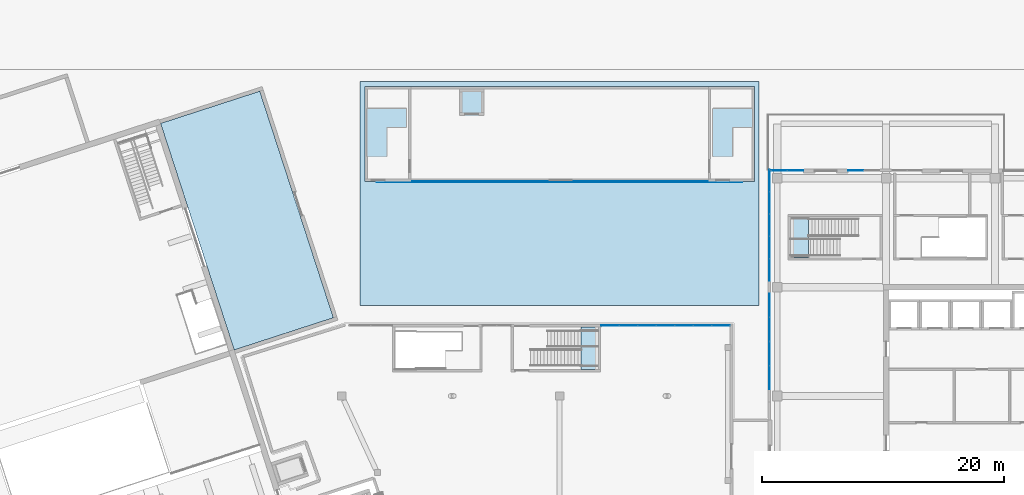
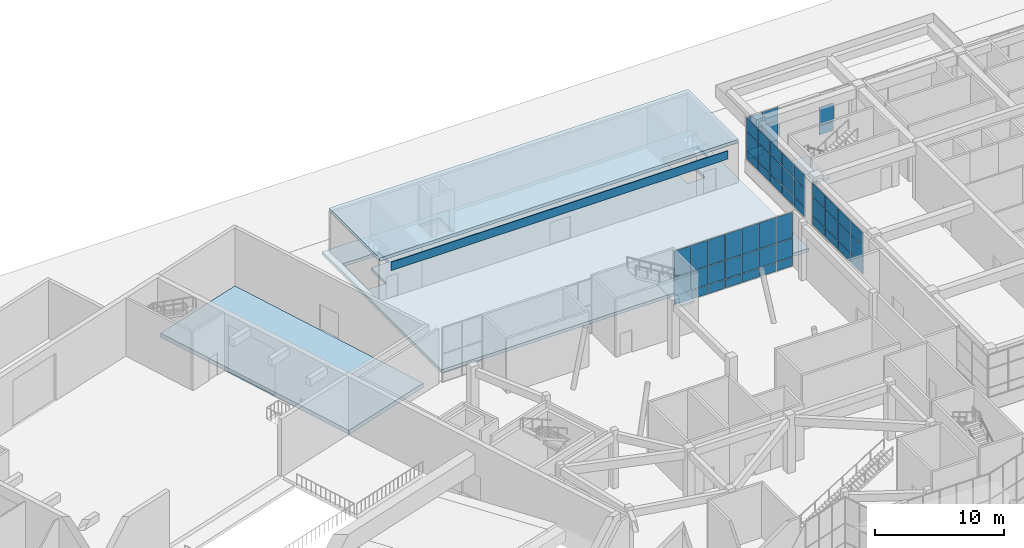
# One storey, part 48 of 72: 57 plates, 5 slabs, 7 elements without a shape of their own.
"""IFC4 building model written with IfcOpenShell, lengths in metres."""

from ifc_helpers import new_model, si_unit, direction, frame, origin, origin_2d, place, context, subcontext, project, spatial, polyline, rectangle, outline, extrude, material, layer, layer_set, type_object, element, aggregate, save


model = new_model("IFC4")

# Units and contexts
model_context = context("Model", 3, precision=1e-05, world=origin(), true_north=direction((0.0, 1.0)))
body_context = subcontext(model_context, "Body", "Model", "MODEL_VIEW")
ifc_project = project(units=[si_unit("LENGTHUNIT", "METRE"), si_unit("AREAUNIT", "SQUARE_METRE"), si_unit("VOLUMEUNIT", "CUBIC_METRE"), si_unit("PLANEANGLEUNIT", "RADIAN"), si_unit("MASSUNIT", "GRAM", prefix="KILO")], contexts=[model_context])

# Site, building, storey
site_placement = place(None, origin())
site = spatial("IfcSite", under=ifc_project, at=site_placement, CompositionType="ELEMENT")
building_placement = place(site_placement, origin())
building = spatial("IfcBuilding", under=site, at=building_placement, Name="Tuart Plaza Theatre", CompositionType="ELEMENT")
storey_placement = place(building_placement, origin())
storey = spatial("IfcBuildingStorey", under=building, at=storey_placement, Name="L00", CompositionType="ELEMENT", Elevation=0.0)

# Curtain wall, plates
ifc_material_1 = material(Name="Aluminium and glass", Category="aluminium")
ifc_layer_1 = layer(ifc_material_1, 0.10009765625)
ifc_layer_set_1 = layer_set([ifc_layer_1], Name="CURTAIN WALL 1500 module")
curtain_wall_type_1 = type_object("IfcCurtainWallType", Name="CURTAIN WALL 1500 module", PredefinedType="NOTDEFINED", material=ifc_layer_set_1)
curtain_wall_1_placement = place(storey_placement, origin())
curtain_wall_1 = element("IfcCurtainWall", 1, at=curtain_wall_1_placement, inside=storey, type_object=curtain_wall_type_1, Name="CW12", PredefinedType="NOTDEFINED")
ifc_material_2 = material(Name="Glass", Category="glass")
ifc_layer_2 = layer(ifc_material_2, 0.028076171875)
ifc_layer_set_2 = layer_set([ifc_layer_2], Name="CURTAIN PANEL double glazed 28")
plate_type_1 = type_object("IfcPlateType", Name="CURTAIN PANEL double glazed 28", PredefinedType="CURTAIN_PANEL", material=ifc_layer_set_2)
plate_1_placement = place(storey_placement, frame((100.177734375, 79.8369140625, 0.0498046875), z_axis=(0.0, 0.0, 1.0), x_axis=(1.0, 0.0, 0.0)))
plate_1 = element("IfcPlate", 2, at=plate_1_placement, type_object=plate_type_1, Name="CW12 panel 1.1", PredefinedType="CURTAIN_PANEL", context=body_context, shape_type="SweptSolid", body=[
    extrude(rectangle(XDim=1.455322265625, YDim=0.028076171875, at=origin_2d()), origin(), (0.0, 0.0, 1.0), 0.824951171875),
])
plate_2_placement = place(storey_placement, frame((100.177734375, 79.8369140625, 0.925048828125), z_axis=(0.0, 0.0, 1.0), x_axis=(1.0, 0.0, 0.0)))
plate_2 = element("IfcPlate", 3, at=plate_2_placement, type_object=plate_type_1, Name="CW12 panel 1.2", PredefinedType="CURTAIN_PANEL", context=body_context, shape_type="SweptSolid", body=[
    extrude(rectangle(XDim=1.455322265625, YDim=0.028076171875, at=origin_2d()), origin(), (0.0, 0.0, 1.0), 1.75),
])
plate_3_placement = place(storey_placement, frame((100.177734375, 79.8369140625, 2.72509765625), z_axis=(0.0, 0.0, 1.0), x_axis=(1.0, 0.0, 0.0)))
plate_3 = element("IfcPlate", 4, at=plate_3_placement, type_object=plate_type_1, Name="CW12 panel 1.3", PredefinedType="CURTAIN_PANEL", context=body_context, shape_type="SweptSolid", body=[
    extrude(rectangle(XDim=1.455322265625, YDim=0.028076171875, at=origin_2d()), origin(), (0.0, 0.0, 1.0), 2.425048828125),
])
plate_4_placement = place(storey_placement, frame((101.695556640625, 79.8369140625, 0.0498046875), z_axis=(0.0, 0.0, 1.0), x_axis=(1.0, 0.0, 0.0)))
plate_4 = element("IfcPlate", 5, at=plate_4_placement, type_object=plate_type_1, Name="CW12 panel 2.1", PredefinedType="CURTAIN_PANEL", context=body_context, shape_type="SweptSolid", body=[
    extrude(rectangle(XDim=1.48046875, YDim=0.028076171875, at=origin_2d()), origin(), (0.0, 0.0, 1.0), 0.824951171875),
])
plate_5_placement = place(storey_placement, frame((101.695556640625, 79.8369140625, 0.925048828125), z_axis=(0.0, 0.0, 1.0), x_axis=(1.0, 0.0, 0.0)))
plate_5 = element("IfcPlate", 6, at=plate_5_placement, type_object=plate_type_1, Name="CW12 panel 2.2", PredefinedType="CURTAIN_PANEL", context=body_context, shape_type="SweptSolid", body=[
    extrude(rectangle(XDim=1.48046875, YDim=0.028076171875, at=origin_2d()), origin(), (0.0, 0.0, 1.0), 1.75),
])
plate_6_placement = place(storey_placement, frame((101.695556640625, 79.8369140625, 2.72509765625), z_axis=(0.0, 0.0, 1.0), x_axis=(1.0, 0.0, 0.0)))
plate_6 = element("IfcPlate", 7, at=plate_6_placement, type_object=plate_type_1, Name="CW12 panel 2.3", PredefinedType="CURTAIN_PANEL", context=body_context, shape_type="SweptSolid", body=[
    extrude(rectangle(XDim=1.48046875, YDim=0.028076171875, at=origin_2d()), origin(), (0.0, 0.0, 1.0), 2.425048828125),
])
plate_7_placement = place(storey_placement, frame((103.22607421875, 79.8369140625, 0.0498046875), z_axis=(0.0, 0.0, 1.0), x_axis=(1.0, 0.0, 0.0)))
plate_7 = element("IfcPlate", 8, at=plate_7_placement, type_object=plate_type_1, Name="CW12 panel 3.1", PredefinedType="CURTAIN_PANEL", context=body_context, shape_type="SweptSolid", body=[
    extrude(rectangle(XDim=1.48046875, YDim=0.028076171875, at=origin_2d()), origin(), (0.0, 0.0, 1.0), 0.824951171875),
])
plate_8_placement = place(storey_placement, frame((103.22607421875, 79.8369140625, 0.925048828125), z_axis=(0.0, 0.0, 1.0), x_axis=(1.0, 0.0, 0.0)))
plate_8 = element("IfcPlate", 9, at=plate_8_placement, type_object=plate_type_1, Name="CW12 panel 3.2", PredefinedType="CURTAIN_PANEL", context=body_context, shape_type="SweptSolid", body=[
    extrude(rectangle(XDim=1.48046875, YDim=0.028076171875, at=origin_2d()), origin(), (0.0, 0.0, 1.0), 1.75),
])
plate_9_placement = place(storey_placement, frame((103.22607421875, 79.8369140625, 2.72509765625), z_axis=(0.0, 0.0, 1.0), x_axis=(1.0, 0.0, 0.0)))
plate_9 = element("IfcPlate", 10, at=plate_9_placement, type_object=plate_type_1, Name="CW12 panel 3.3", PredefinedType="CURTAIN_PANEL", context=body_context, shape_type="SweptSolid", body=[
    extrude(rectangle(XDim=1.48046875, YDim=0.028076171875, at=origin_2d()), origin(), (0.0, 0.0, 1.0), 2.425048828125),
])
plate_10_placement = place(storey_placement, frame((104.756591796875, 79.8369140625, 0.0498046875), z_axis=(0.0, 0.0, 1.0), x_axis=(1.0, 0.0, 0.0)))
plate_10 = element("IfcPlate", 11, at=plate_10_placement, type_object=plate_type_1, Name="CW12 panel 4.1", PredefinedType="CURTAIN_PANEL", context=body_context, shape_type="SweptSolid", body=[
    extrude(rectangle(XDim=1.48046875, YDim=0.028076171875, at=origin_2d()), origin(), (0.0, 0.0, 1.0), 0.824951171875),
])
plate_11_placement = place(storey_placement, frame((104.756591796875, 79.8369140625, 0.925048828125), z_axis=(0.0, 0.0, 1.0), x_axis=(1.0, 0.0, 0.0)))
plate_11 = element("IfcPlate", 12, at=plate_11_placement, type_object=plate_type_1, Name="CW12 panel 4.2", PredefinedType="CURTAIN_PANEL", context=body_context, shape_type="SweptSolid", body=[
    extrude(rectangle(XDim=1.48046875, YDim=0.028076171875, at=origin_2d()), origin(), (0.0, 0.0, 1.0), 1.75),
])
plate_12_placement = place(storey_placement, frame((104.756591796875, 79.8369140625, 2.72509765625), z_axis=(0.0, 0.0, 1.0), x_axis=(1.0, 0.0, 0.0)))
plate_12 = element("IfcPlate", 13, at=plate_12_placement, type_object=plate_type_1, Name="CW12 panel 4.3", PredefinedType="CURTAIN_PANEL", context=body_context, shape_type="SweptSolid", body=[
    extrude(rectangle(XDim=1.48046875, YDim=0.028076171875, at=origin_2d()), origin(), (0.0, 0.0, 1.0), 2.425048828125),
])
plate_13_placement = place(storey_placement, frame((106.286865234375, 79.8369140625, 0.0498046875), z_axis=(0.0, 0.0, 1.0), x_axis=(1.0, 0.0, 0.0)))
plate_13 = element("IfcPlate", 14, at=plate_13_placement, type_object=plate_type_1, Name="CW12 panel 5.1", PredefinedType="CURTAIN_PANEL", context=body_context, shape_type="SweptSolid", body=[
    extrude(rectangle(XDim=1.48046875, YDim=0.028076171875, at=origin_2d()), origin(), (0.0, 0.0, 1.0), 0.824951171875),
])
plate_14_placement = place(storey_placement, frame((106.286865234375, 79.8369140625, 0.925048828125), z_axis=(0.0, 0.0, 1.0), x_axis=(1.0, 0.0, 0.0)))
plate_14 = element("IfcPlate", 15, at=plate_14_placement, type_object=plate_type_1, Name="CW12 panel 5.2", PredefinedType="CURTAIN_PANEL", context=body_context, shape_type="SweptSolid", body=[
    extrude(rectangle(XDim=1.48046875, YDim=0.028076171875, at=origin_2d()), origin(), (0.0, 0.0, 1.0), 1.75),
])
plate_15_placement = place(storey_placement, frame((106.286865234375, 79.8369140625, 2.72509765625), z_axis=(0.0, 0.0, 1.0), x_axis=(1.0, 0.0, 0.0)))
plate_15 = element("IfcPlate", 16, at=plate_15_placement, type_object=plate_type_1, Name="CW12 panel 5.3", PredefinedType="CURTAIN_PANEL", context=body_context, shape_type="SweptSolid", body=[
    extrude(rectangle(XDim=1.48046875, YDim=0.028076171875, at=origin_2d()), origin(), (0.0, 0.0, 1.0), 2.425048828125),
])
plate_16_placement = place(storey_placement, frame((107.8173828125, 79.8369140625, 0.0498046875), z_axis=(0.0, 0.0, 1.0), x_axis=(1.0, 0.0, 0.0)))
plate_16 = element("IfcPlate", 17, at=plate_16_placement, type_object=plate_type_1, Name="CW12 panel 6.1", PredefinedType="CURTAIN_PANEL", context=body_context, shape_type="SweptSolid", body=[
    extrude(rectangle(XDim=1.48046875, YDim=0.028076171875, at=origin_2d()), origin(), (0.0, 0.0, 1.0), 0.824951171875),
])
plate_17_placement = place(storey_placement, frame((107.8173828125, 79.8369140625, 0.925048828125), z_axis=(0.0, 0.0, 1.0), x_axis=(1.0, 0.0, 0.0)))
plate_17 = element("IfcPlate", 18, at=plate_17_placement, type_object=plate_type_1, Name="CW12 panel 6.2", PredefinedType="CURTAIN_PANEL", context=body_context, shape_type="SweptSolid", body=[
    extrude(rectangle(XDim=1.48046875, YDim=0.028076171875, at=origin_2d()), origin(), (0.0, 0.0, 1.0), 1.75),
])
plate_18_placement = place(storey_placement, frame((107.8173828125, 79.8369140625, 2.72509765625), z_axis=(0.0, 0.0, 1.0), x_axis=(1.0, 0.0, 0.0)))
plate_18 = element("IfcPlate", 19, at=plate_18_placement, type_object=plate_type_1, Name="CW12 panel 6.3", PredefinedType="CURTAIN_PANEL", context=body_context, shape_type="SweptSolid", body=[
    extrude(rectangle(XDim=1.48046875, YDim=0.028076171875, at=origin_2d()), origin(), (0.0, 0.0, 1.0), 2.425048828125),
])
plate_19_placement = place(storey_placement, frame((109.335205078125, 79.8369140625, 0.0498046875), z_axis=(0.0, 0.0, 1.0), x_axis=(1.0, 0.0, 0.0)))
plate_19 = element("IfcPlate", 20, at=plate_19_placement, type_object=plate_type_1, Name="CW12 panel 7.1", PredefinedType="CURTAIN_PANEL", context=body_context, shape_type="SweptSolid", body=[
    extrude(rectangle(XDim=1.455322265625, YDim=0.028076171875, at=origin_2d()), origin(), (0.0, 0.0, 1.0), 0.824951171875),
])
plate_20_placement = place(storey_placement, frame((109.335205078125, 79.8369140625, 0.925048828125), z_axis=(0.0, 0.0, 1.0), x_axis=(1.0, 0.0, 0.0)))
plate_20 = element("IfcPlate", 21, at=plate_20_placement, type_object=plate_type_1, Name="CW12 panel 7.2", PredefinedType="CURTAIN_PANEL", context=body_context, shape_type="SweptSolid", body=[
    extrude(rectangle(XDim=1.455322265625, YDim=0.028076171875, at=origin_2d()), origin(), (0.0, 0.0, 1.0), 1.75),
])
plate_21_placement = place(storey_placement, frame((109.335205078125, 79.8369140625, 2.72509765625), z_axis=(0.0, 0.0, 1.0), x_axis=(1.0, 0.0, 0.0)))
plate_21 = element("IfcPlate", 22, at=plate_21_placement, type_object=plate_type_1, Name="CW12 panel 7.3", PredefinedType="CURTAIN_PANEL", context=body_context, shape_type="SweptSolid", body=[
    extrude(rectangle(XDim=1.455322265625, YDim=0.028076171875, at=origin_2d()), origin(), (0.0, 0.0, 1.0), 2.425048828125),
])
aggregate(curtain_wall_1, [plate_1, plate_2, plate_3, plate_4, plate_5, plate_6, plate_7, plate_8, plate_9, plate_10, plate_11, plate_12, plate_13, plate_14, plate_15, plate_16, plate_17, plate_18, plate_19, plate_20, plate_21])

ifc_material_3 = material(Name="Aluminium and glass", Category="aluminium")
ifc_layer_3 = layer(ifc_material_3, 0.10009765625)
ifc_layer_set_3 = layer_set([ifc_layer_3], Name="CURTAIN WALL 1350 module")
curtain_wall_type_2 = type_object("IfcCurtainWallType", Name="CURTAIN WALL 1350 module", PredefinedType="NOTDEFINED", material=ifc_layer_set_3)
curtain_wall_2_placement = place(storey_placement, origin())
curtain_wall_2 = element("IfcCurtainWall", 23, at=curtain_wall_2_placement, inside=storey, type_object=curtain_wall_type_2, Name="CW55", PredefinedType="NOTDEFINED")
plate_22_placement = place(storey_placement, frame((120.487548828125, 92.64990234375, 1.25), z_axis=(0.0, 0.0, 1.0), x_axis=(-1.0, 0.0, 0.0)))
plate_22 = element("IfcPlate", 24, at=plate_22_placement, type_object=plate_type_1, Name="CW55 panel 2.1", PredefinedType="CURTAIN_PANEL", context=body_context, shape_type="SweptSolid", body=[
    extrude(rectangle(XDim=1.27490234375, YDim=0.028076171875, at=origin_2d()), origin(), (0.0, 0.0, 1.0), 0.824951171875),
])
plate_23_placement = place(storey_placement, frame((120.487548828125, 92.64990234375, 2.125), z_axis=(0.0, 0.0, 1.0), x_axis=(-1.0, 0.0, 0.0)))
plate_23 = element("IfcPlate", 25, at=plate_23_placement, type_object=plate_type_1, Name="CW55 panel 2.2", PredefinedType="CURTAIN_PANEL", context=body_context, shape_type="SweptSolid", body=[
    extrude(rectangle(XDim=1.27490234375, YDim=0.028076171875, at=origin_2d()), origin(), (0.0, 0.0, 1.0), 1.75),
])
aggregate(curtain_wall_2, [plate_22, plate_23])

ifc_material_4 = material(Name="Aluminium and glass", Category="aluminium")
ifc_layer_4 = layer(ifc_material_4, 0.10009765625)
ifc_layer_set_4 = layer_set([ifc_layer_4], Name="CURTAIN WALL 1375 module")
curtain_wall_type_3 = type_object("IfcCurtainWallType", Name="CURTAIN WALL 1375 module", PredefinedType="NOTDEFINED", material=ifc_layer_set_4)
curtain_wall_3_placement = place(storey_placement, origin())
curtain_wall_3 = element("IfcCurtainWall", 26, at=curtain_wall_3_placement, inside=storey, type_object=curtain_wall_type_3, Name="CW56", PredefinedType="NOTDEFINED")
plate_24_placement = place(storey_placement, frame((115.5, 92.64990234375, 1.25), z_axis=(0.0, 0.0, 1.0), x_axis=(-1.0, 0.0, 0.0)))
plate_24 = element("IfcPlate", 27, at=plate_24_placement, type_object=plate_type_1, Name="CW56 panel 1.1", PredefinedType="CURTAIN_PANEL", context=body_context, shape_type="SweptSolid", body=[
    extrude(rectangle(XDim=1.300048828125, YDim=0.028076171875, at=origin_2d()), origin(), (0.0, 0.0, 1.0), 0.824951171875),
])
plate_25_placement = place(storey_placement, frame((115.5, 92.64990234375, 2.125), z_axis=(0.0, 0.0, 1.0), x_axis=(-1.0, 0.0, 0.0)))
plate_25 = element("IfcPlate", 28, at=plate_25_placement, type_object=plate_type_1, Name="CW56 panel 1.2", PredefinedType="CURTAIN_PANEL", context=body_context, shape_type="SweptSolid", body=[
    extrude(rectangle(XDim=1.300048828125, YDim=0.028076171875, at=origin_2d()), origin(), (0.0, 0.0, 1.0), 1.75),
])
plate_26_placement = place(storey_placement, frame((115.5, 92.64990234375, 3.925048828125), z_axis=(0.0, 0.0, 1.0), x_axis=(-1.0, 0.0, 0.0)))
plate_26 = element("IfcPlate", 29, at=plate_26_placement, type_object=plate_type_1, Name="CW56 panel 1.3", PredefinedType="CURTAIN_PANEL", context=body_context, shape_type="SweptSolid", body=[
    extrude(rectangle(XDim=1.300048828125, YDim=0.028076171875, at=origin_2d()), origin(), (0.0, 0.0, 1.0), 1.27490234375),
])
plate_27_placement = place(storey_placement, frame((114.14990234375, 92.64990234375, 1.25), z_axis=(0.0, 0.0, 1.0), x_axis=(-1.0, 0.0, 0.0)))
plate_27 = element("IfcPlate", 30, at=plate_27_placement, type_object=plate_type_1, Name="CW56 panel 2.1", PredefinedType="CURTAIN_PANEL", context=body_context, shape_type="SweptSolid", body=[
    extrude(rectangle(XDim=1.300048828125, YDim=0.028076171875, at=origin_2d()), origin(), (0.0, 0.0, 1.0), 0.824951171875),
])
plate_28_placement = place(storey_placement, frame((114.14990234375, 92.64990234375, 2.125), z_axis=(0.0, 0.0, 1.0), x_axis=(-1.0, 0.0, 0.0)))
plate_28 = element("IfcPlate", 31, at=plate_28_placement, type_object=plate_type_1, Name="CW56 panel 2.2", PredefinedType="CURTAIN_PANEL", context=body_context, shape_type="SweptSolid", body=[
    extrude(rectangle(XDim=1.300048828125, YDim=0.028076171875, at=origin_2d()), origin(), (0.0, 0.0, 1.0), 1.75),
])
plate_29_placement = place(storey_placement, frame((114.14990234375, 92.64990234375, 3.925048828125), z_axis=(0.0, 0.0, 1.0), x_axis=(-1.0, 0.0, 0.0)))
plate_29 = element("IfcPlate", 32, at=plate_29_placement, type_object=plate_type_1, Name="CW56 panel 2.3", PredefinedType="CURTAIN_PANEL", context=body_context, shape_type="SweptSolid", body=[
    extrude(rectangle(XDim=1.300048828125, YDim=0.028076171875, at=origin_2d()), origin(), (0.0, 0.0, 1.0), 1.27490234375),
])
aggregate(curtain_wall_3, [plate_24, plate_25, plate_26, plate_27, plate_28, plate_29])

ifc_material_5 = material(Name="Aluminium and glass", Category="aluminium")
ifc_layer_5 = layer(ifc_material_5, 0.10009765625)
ifc_layer_set_5 = layer_set([ifc_layer_5], Name="CURTAIN WALL 2000 module")
curtain_wall_type_4 = type_object("IfcCurtainWallType", Name="CURTAIN WALL 2000 module", PredefinedType="NOTDEFINED", material=ifc_layer_set_5)
curtain_wall_4_placement = place(storey_placement, origin())
curtain_wall_4 = element("IfcCurtainWall", 33, at=curtain_wall_4_placement, inside=storey, type_object=curtain_wall_type_4, Name="CW57", PredefinedType="NOTDEFINED")
plate_30_placement = place(storey_placement, frame((113.35009765625, 91.8125, 1.25), z_axis=(0.0, 0.0, 1.0), x_axis=(0.0, -1.0, 0.0)))
plate_30 = element("IfcPlate", 34, at=plate_30_placement, type_object=plate_type_1, Name="CW57 panel 1.1", PredefinedType="CURTAIN_PANEL", context=body_context, shape_type="SweptSolid", body=[
    extrude(rectangle(XDim=1.77490234375, YDim=0.028076171875, at=origin_2d()), origin(), (0.0, 0.0, 1.0), 0.824951171875),
])
plate_31_placement = place(storey_placement, frame((113.35009765625, 91.8125, 2.125), z_axis=(0.0, 0.0, 1.0), x_axis=(0.0, -1.0, 0.0)))
plate_31 = element("IfcPlate", 35, at=plate_31_placement, type_object=plate_type_1, Name="CW57 panel 1.2", PredefinedType="CURTAIN_PANEL", context=body_context, shape_type="SweptSolid", body=[
    extrude(rectangle(XDim=1.77490234375, YDim=0.028076171875, at=origin_2d()), origin(), (0.0, 0.0, 1.0), 1.75),
])
plate_32_placement = place(storey_placement, frame((113.35009765625, 91.8125, 3.925048828125), z_axis=(0.0, 0.0, 1.0), x_axis=(0.0, -1.0, 0.0)))
plate_32 = element("IfcPlate", 36, at=plate_32_placement, type_object=plate_type_1, Name="CW57 panel 1.3", PredefinedType="CURTAIN_PANEL", context=body_context, shape_type="SweptSolid", body=[
    extrude(rectangle(XDim=1.77490234375, YDim=0.028076171875, at=origin_2d()), origin(), (0.0, 0.0, 1.0), 1.27490234375),
])
plate_33_placement = place(storey_placement, frame((113.35009765625, 89.97509765625, 1.25), z_axis=(0.0, 0.0, 1.0), x_axis=(0.0, -1.0, 0.0)))
plate_33 = element("IfcPlate", 37, at=plate_33_placement, type_object=plate_type_1, Name="CW57 panel 2.1", PredefinedType="CURTAIN_PANEL", context=body_context, shape_type="SweptSolid", body=[
    extrude(rectangle(XDim=1.800048828125, YDim=0.028076171875, at=origin_2d()), origin(), (0.0, 0.0, 1.0), 0.824951171875),
])
plate_34_placement = place(storey_placement, frame((113.35009765625, 89.97509765625, 2.125), z_axis=(0.0, 0.0, 1.0), x_axis=(0.0, -1.0, 0.0)))
plate_34 = element("IfcPlate", 38, at=plate_34_placement, type_object=plate_type_1, Name="CW57 panel 2.2", PredefinedType="CURTAIN_PANEL", context=body_context, shape_type="SweptSolid", body=[
    extrude(rectangle(XDim=1.800048828125, YDim=0.028076171875, at=origin_2d()), origin(), (0.0, 0.0, 1.0), 1.75),
])
plate_35_placement = place(storey_placement, frame((113.35009765625, 89.97509765625, 3.925048828125), z_axis=(0.0, 0.0, 1.0), x_axis=(0.0, -1.0, 0.0)))
plate_35 = element("IfcPlate", 39, at=plate_35_placement, type_object=plate_type_1, Name="CW57 panel 2.3", PredefinedType="CURTAIN_PANEL", context=body_context, shape_type="SweptSolid", body=[
    extrude(rectangle(XDim=1.800048828125, YDim=0.028076171875, at=origin_2d()), origin(), (0.0, 0.0, 1.0), 1.27490234375),
])
plate_36_placement = place(storey_placement, frame((113.35009765625, 88.125, 1.25), z_axis=(0.0, 0.0, 1.0), x_axis=(0.0, -1.0, 0.0)))
plate_36 = element("IfcPlate", 40, at=plate_36_placement, type_object=plate_type_1, Name="CW57 panel 3.1", PredefinedType="CURTAIN_PANEL", context=body_context, shape_type="SweptSolid", body=[
    extrude(rectangle(XDim=1.800048828125, YDim=0.028076171875, at=origin_2d()), origin(), (0.0, 0.0, 1.0), 0.824951171875),
])
plate_37_placement = place(storey_placement, frame((113.35009765625, 88.125, 2.125), z_axis=(0.0, 0.0, 1.0), x_axis=(0.0, -1.0, 0.0)))
plate_37 = element("IfcPlate", 41, at=plate_37_placement, type_object=plate_type_1, Name="CW57 panel 3.2", PredefinedType="CURTAIN_PANEL", context=body_context, shape_type="SweptSolid", body=[
    extrude(rectangle(XDim=1.800048828125, YDim=0.028076171875, at=origin_2d()), origin(), (0.0, 0.0, 1.0), 1.75),
])
plate_38_placement = place(storey_placement, frame((113.35009765625, 88.125, 3.925048828125), z_axis=(0.0, 0.0, 1.0), x_axis=(0.0, -1.0, 0.0)))
plate_38 = element("IfcPlate", 42, at=plate_38_placement, type_object=plate_type_1, Name="CW57 panel 3.3", PredefinedType="CURTAIN_PANEL", context=body_context, shape_type="SweptSolid", body=[
    extrude(rectangle(XDim=1.800048828125, YDim=0.028076171875, at=origin_2d()), origin(), (0.0, 0.0, 1.0), 1.27490234375),
])
plate_39_placement = place(storey_placement, frame((113.35009765625, 86.27490234375, 1.25), z_axis=(0.0, 0.0, 1.0), x_axis=(0.0, -1.0, 0.0)))
plate_39 = element("IfcPlate", 43, at=plate_39_placement, type_object=plate_type_1, Name="CW57 panel 4.1", PredefinedType="CURTAIN_PANEL", context=body_context, shape_type="SweptSolid", body=[
    extrude(rectangle(XDim=1.800048828125, YDim=0.028076171875, at=origin_2d()), origin(), (0.0, 0.0, 1.0), 0.824951171875),
])
plate_40_placement = place(storey_placement, frame((113.35009765625, 86.27490234375, 2.125), z_axis=(0.0, 0.0, 1.0), x_axis=(0.0, -1.0, 0.0)))
plate_40 = element("IfcPlate", 44, at=plate_40_placement, type_object=plate_type_1, Name="CW57 panel 4.2", PredefinedType="CURTAIN_PANEL", context=body_context, shape_type="SweptSolid", body=[
    extrude(rectangle(XDim=1.800048828125, YDim=0.028076171875, at=origin_2d()), origin(), (0.0, 0.0, 1.0), 1.75),
])
plate_41_placement = place(storey_placement, frame((113.35009765625, 86.27490234375, 3.925048828125), z_axis=(0.0, 0.0, 1.0), x_axis=(0.0, -1.0, 0.0)))
plate_41 = element("IfcPlate", 45, at=plate_41_placement, type_object=plate_type_1, Name="CW57 panel 4.3", PredefinedType="CURTAIN_PANEL", context=body_context, shape_type="SweptSolid", body=[
    extrude(rectangle(XDim=1.800048828125, YDim=0.028076171875, at=origin_2d()), origin(), (0.0, 0.0, 1.0), 1.27490234375),
])
plate_42_placement = place(storey_placement, frame((113.35009765625, 84.4375, 1.25), z_axis=(0.0, 0.0, 1.0), x_axis=(0.0, -1.0, 0.0)))
plate_42 = element("IfcPlate", 46, at=plate_42_placement, type_object=plate_type_1, Name="CW57 panel 5.1", PredefinedType="CURTAIN_PANEL", context=body_context, shape_type="SweptSolid", body=[
    extrude(rectangle(XDim=1.77490234375, YDim=0.028076171875, at=origin_2d()), origin(), (0.0, 0.0, 1.0), 0.824951171875),
])
plate_43_placement = place(storey_placement, frame((113.35009765625, 84.4375, 2.125), z_axis=(0.0, 0.0, 1.0), x_axis=(0.0, -1.0, 0.0)))
plate_43 = element("IfcPlate", 47, at=plate_43_placement, type_object=plate_type_1, Name="CW57 panel 5.2", PredefinedType="CURTAIN_PANEL", context=body_context, shape_type="SweptSolid", body=[
    extrude(rectangle(XDim=1.77490234375, YDim=0.028076171875, at=origin_2d()), origin(), (0.0, 0.0, 1.0), 1.75),
])
plate_44_placement = place(storey_placement, frame((113.35009765625, 84.4375, 3.925048828125), z_axis=(0.0, 0.0, 1.0), x_axis=(0.0, -1.0, 0.0)))
plate_44 = element("IfcPlate", 48, at=plate_44_placement, type_object=plate_type_1, Name="CW57 panel 5.3", PredefinedType="CURTAIN_PANEL", context=body_context, shape_type="SweptSolid", body=[
    extrude(rectangle(XDim=1.77490234375, YDim=0.028076171875, at=origin_2d()), origin(), (0.0, 0.0, 1.0), 1.27490234375),
])
aggregate(curtain_wall_4, [plate_30, plate_31, plate_32, plate_33, plate_34, plate_35, plate_36, plate_37, plate_38, plate_39, plate_40, plate_41, plate_42, plate_43, plate_44])

curtain_wall_5_placement = place(storey_placement, origin())
curtain_wall_5 = element("IfcCurtainWall", 49, at=curtain_wall_5_placement, inside=storey, type_object=curtain_wall_type_4, Name="CW58", PredefinedType="NOTDEFINED")
plate_45_placement = place(storey_placement, frame((113.35009765625, 81.487548828125, 1.25), z_axis=(0.0, 0.0, 1.0), x_axis=(0.0, -1.0, 0.0)))
plate_45 = element("IfcPlate", 50, at=plate_45_placement, type_object=plate_type_1, Name="CW58 panel 1.1", PredefinedType="CURTAIN_PANEL", context=body_context, shape_type="SweptSolid", body=[
    extrude(rectangle(XDim=1.925048828125, YDim=0.028076171875, at=origin_2d()), origin(), (0.0, 0.0, 1.0), 0.824951171875),
])
plate_46_placement = place(storey_placement, frame((113.35009765625, 81.487548828125, 2.125), z_axis=(0.0, 0.0, 1.0), x_axis=(0.0, -1.0, 0.0)))
plate_46 = element("IfcPlate", 51, at=plate_46_placement, type_object=plate_type_1, Name="CW58 panel 1.2", PredefinedType="CURTAIN_PANEL", context=body_context, shape_type="SweptSolid", body=[
    extrude(rectangle(XDim=1.925048828125, YDim=0.028076171875, at=origin_2d()), origin(), (0.0, 0.0, 1.0), 1.75),
])
plate_47_placement = place(storey_placement, frame((113.35009765625, 81.487548828125, 3.925048828125), z_axis=(0.0, 0.0, 1.0), x_axis=(0.0, -1.0, 0.0)))
plate_47 = element("IfcPlate", 52, at=plate_47_placement, type_object=plate_type_1, Name="CW58 panel 1.3", PredefinedType="CURTAIN_PANEL", context=body_context, shape_type="SweptSolid", body=[
    extrude(rectangle(XDim=1.925048828125, YDim=0.028076171875, at=origin_2d()), origin(), (0.0, 0.0, 1.0), 1.27490234375),
])
plate_48_placement = place(storey_placement, frame((113.35009765625, 79.5, 1.25), z_axis=(0.0, 0.0, 1.0), x_axis=(0.0, -1.0, 0.0)))
plate_48 = element("IfcPlate", 53, at=plate_48_placement, type_object=plate_type_1, Name="CW58 panel 2.1", PredefinedType="CURTAIN_PANEL", context=body_context, shape_type="SweptSolid", body=[
    extrude(rectangle(XDim=1.949951171875, YDim=0.028076171875, at=origin_2d()), origin(), (0.0, 0.0, 1.0), 0.824951171875),
])
plate_49_placement = place(storey_placement, frame((113.35009765625, 79.5, 2.125), z_axis=(0.0, 0.0, 1.0), x_axis=(0.0, -1.0, 0.0)))
plate_49 = element("IfcPlate", 54, at=plate_49_placement, type_object=plate_type_1, Name="CW58 panel 2.2", PredefinedType="CURTAIN_PANEL", context=body_context, shape_type="SweptSolid", body=[
    extrude(rectangle(XDim=1.949951171875, YDim=0.028076171875, at=origin_2d()), origin(), (0.0, 0.0, 1.0), 1.75),
])
plate_50_placement = place(storey_placement, frame((113.35009765625, 79.5, 3.925048828125), z_axis=(0.0, 0.0, 1.0), x_axis=(0.0, -1.0, 0.0)))
plate_50 = element("IfcPlate", 55, at=plate_50_placement, type_object=plate_type_1, Name="CW58 panel 2.3", PredefinedType="CURTAIN_PANEL", context=body_context, shape_type="SweptSolid", body=[
    extrude(rectangle(XDim=1.949951171875, YDim=0.028076171875, at=origin_2d()), origin(), (0.0, 0.0, 1.0), 1.27490234375),
])
plate_51_placement = place(storey_placement, frame((113.35009765625, 77.5, 1.25), z_axis=(0.0, 0.0, 1.0), x_axis=(0.0, -1.0, 0.0)))
plate_51 = element("IfcPlate", 56, at=plate_51_placement, type_object=plate_type_1, Name="CW58 panel 3.1", PredefinedType="CURTAIN_PANEL", context=body_context, shape_type="SweptSolid", body=[
    extrude(rectangle(XDim=1.949951171875, YDim=0.028076171875, at=origin_2d()), origin(), (0.0, 0.0, 1.0), 0.824951171875),
])
plate_52_placement = place(storey_placement, frame((113.35009765625, 77.5, 2.125), z_axis=(0.0, 0.0, 1.0), x_axis=(0.0, -1.0, 0.0)))
plate_52 = element("IfcPlate", 57, at=plate_52_placement, type_object=plate_type_1, Name="CW58 panel 3.2", PredefinedType="CURTAIN_PANEL", context=body_context, shape_type="SweptSolid", body=[
    extrude(rectangle(XDim=1.949951171875, YDim=0.028076171875, at=origin_2d()), origin(), (0.0, 0.0, 1.0), 1.75),
])
plate_53_placement = place(storey_placement, frame((113.35009765625, 77.5, 3.925048828125), z_axis=(0.0, 0.0, 1.0), x_axis=(0.0, -1.0, 0.0)))
plate_53 = element("IfcPlate", 58, at=plate_53_placement, type_object=plate_type_1, Name="CW58 panel 3.3", PredefinedType="CURTAIN_PANEL", context=body_context, shape_type="SweptSolid", body=[
    extrude(rectangle(XDim=1.949951171875, YDim=0.028076171875, at=origin_2d()), origin(), (0.0, 0.0, 1.0), 1.27490234375),
])
plate_54_placement = place(storey_placement, frame((113.35009765625, 75.512451171875, 1.25), z_axis=(0.0, 0.0, 1.0), x_axis=(0.0, -1.0, 0.0)))
plate_54 = element("IfcPlate", 59, at=plate_54_placement, type_object=plate_type_1, Name="CW58 panel 4.1", PredefinedType="CURTAIN_PANEL", context=body_context, shape_type="SweptSolid", body=[
    extrude(rectangle(XDim=1.925048828125, YDim=0.028076171875, at=origin_2d()), origin(), (0.0, 0.0, 1.0), 0.824951171875),
])
plate_55_placement = place(storey_placement, frame((113.35009765625, 75.512451171875, 2.125), z_axis=(0.0, 0.0, 1.0), x_axis=(0.0, -1.0, 0.0)))
plate_55 = element("IfcPlate", 60, at=plate_55_placement, type_object=plate_type_1, Name="CW58 panel 4.2", PredefinedType="CURTAIN_PANEL", context=body_context, shape_type="SweptSolid", body=[
    extrude(rectangle(XDim=1.925048828125, YDim=0.028076171875, at=origin_2d()), origin(), (0.0, 0.0, 1.0), 1.75),
])
plate_56_placement = place(storey_placement, frame((113.35009765625, 75.512451171875, 3.925048828125), z_axis=(0.0, 0.0, 1.0), x_axis=(0.0, -1.0, 0.0)))
plate_56 = element("IfcPlate", 61, at=plate_56_placement, type_object=plate_type_1, Name="CW58 panel 4.3", PredefinedType="CURTAIN_PANEL", context=body_context, shape_type="SweptSolid", body=[
    extrude(rectangle(XDim=1.925048828125, YDim=0.028076171875, at=origin_2d()), origin(), (0.0, 0.0, 1.0), 1.27490234375),
])
aggregate(curtain_wall_5, [plate_45, plate_46, plate_47, plate_48, plate_49, plate_50, plate_51, plate_52, plate_53, plate_54, plate_55, plate_56])

# Plate
ifc_material_6 = material(Name="Aluminium, anodised", Category="aluminium")
ifc_layer_6 = layer(ifc_material_6, 0.06005859375)
ifc_layer_set_6 = layer_set([ifc_layer_6], Name="SIGN-FASCIA-ALUMINIUM")
plate_type_2 = type_object("IfcPlateType", Name="SIGN-FASCIA-ALUMINIUM", PredefinedType="SHEET", material=ifc_layer_set_6)
plate_57_placement = place(storey_placement, frame((0.0, 0.0, 2.60009765625)))
element("IfcPlate", 62, at=plate_57_placement, inside=storey, type_object=plate_type_2, Name="CYCLE HUB AND SERVICES ENTRANCE", PredefinedType="SHEET", context=body_context, shape_type="SweptSolid", body=[
    extrude(outline(polyline([(80.89990234375, 91.68994140625), (111.10009765625, 91.68994140625), (111.10009765625, 91.75), (80.89990234375, 91.75), (80.89990234375, 91.68994140625)])), origin(), (0.0, 0.0, 1.0), 0.7998046875),
])

# Slabs
ifc_material_7 = material(Name="Concrete N40 (40 MPa)", Category="concrete")
ifc_layer_7 = layer(ifc_material_7, 0.300048828125)
ifc_layer_set_7 = layer_set([ifc_layer_7], Name="SLAB Floor 300 Concrete N40 (40 MPa)")
slab_type_1 = type_object("IfcSlabType", Name="SLAB Floor 300 Concrete N40 (40 MPa)", PredefinedType="FLOOR", material=ifc_layer_set_7)
slab_1_placement = place(storey_placement, frame((0.0, 0.0, -0.449951171875)))
element("IfcSlab", 63, at=slab_1_placement, inside=storey, type_object=slab_type_1, Name="S110", PredefinedType="FLOOR", context=body_context, shape_type="SweptSolid", body=[
    extrude(outline(polyline([(112.5, 81.5), (112.5, 100.0), (79.5, 100.0), (79.5, 81.5), (112.5, 81.5)]), holes=[polyline([(110.300048828125, 93.820068359375), (110.300048828125, 96.219970703125), (111.925048828125, 96.219970703125), (111.925048828125, 97.77001953125), (108.675048828125, 97.77001953125), (108.675048828125, 93.820068359375), (110.300048828125, 93.820068359375)]), polyline([(87.739990234375, 97.199951171875), (89.739990234375, 97.199951171875), (89.739990234375, 99.39990234375), (87.739990234375, 99.39990234375), (87.739990234375, 97.199951171875)]), polyline([(81.699951171875, 93.820068359375), (81.699951171875, 96.219970703125), (83.324951171875, 96.219970703125), (83.324951171875, 97.77001953125), (80.074951171875, 97.77001953125), (80.074951171875, 93.820068359375), (81.699951171875, 93.820068359375)])]), origin(), (0.0, 0.0, 1.0), 0.300048828125),
])
ifc_material_8 = material(Name="Concrete N40 (40 MPa)", Category="concrete")
ifc_layer_8 = layer(ifc_material_8, 0.39990234375)
ifc_layer_set_8 = layer_set([ifc_layer_8], Name="SLAB Floor 400 Concrete N40 (40 MPa)")
slab_type_2 = type_object("IfcSlabType", Name="SLAB Floor 400 Concrete N40 (40 MPa)", PredefinedType="FLOOR", material=ifc_layer_set_8)
slab_2_placement = place(storey_placement, frame((0.0, 0.0, -0.39990234375)))
element("IfcSlab", 64, at=slab_2_placement, inside=storey, type_object=slab_type_2, Name="S24", PredefinedType="FLOOR", context=body_context, shape_type="SweptSolid", body=[
    extrude(outline(polyline([(77.298583984375, 80.468505859375), (71.2109375, 99.204345703125), (63.008056640625, 96.5390625), (69.095703125, 77.80322265625), (77.298583984375, 80.468505859375)])), origin(), (0.0, 0.0, 1.0), 0.39990234375),
])
ifc_material_9 = material(Name="Concrete N40 (40 MPa)", Category="concrete")
ifc_layer_9 = layer(ifc_material_9, 0.300048828125)
ifc_layer_set_9 = layer_set([ifc_layer_9], Name="SLAB Roof 300 Concrete N40 (40 MPa)")
slab_type_3 = type_object("IfcSlabType", Name="SLAB Roof 300 Concrete N40 (40 MPa)", PredefinedType="ROOF", material=ifc_layer_set_9)
slab_3_placement = place(storey_placement, frame((0.0, 0.0, 3.800048828125)))
element("IfcSlab", 65, at=slab_3_placement, inside=storey, type_object=slab_type_3, Name="SR19", PredefinedType="ROOF", context=body_context, shape_type="SweptSolid", body=[
    extrude(outline(polyline([(112.10009765625, 91.75), (112.10009765625, 99.60009765625), (79.89990234375, 99.60009765625), (79.89990234375, 91.75), (112.10009765625, 91.75)])), origin(), (0.0, 0.0, 1.0), 0.300048828125),
])

# Stair, slab
ifc_material_10 = material(Name="Concrete N40 (40 MPa)", Category="concrete")
stair_type_1 = type_object("IfcStairType", Name="STAIR half turn 1400", PredefinedType="HALF_TURN_STAIR", material=ifc_material_10)
stair_1_placement = place(storey_placement, origin())
stair_1 = element("IfcStair", 66, at=stair_1_placement, inside=storey, type_object=stair_type_1, Name="SB-4", PredefinedType="HALF_TURN_STAIR")
ifc_material_11 = material(Name="Concrete N40 (40 MPa)", Category="concrete")
ifc_layer_10 = layer(ifc_material_11, 0.199951171875)
ifc_layer_set_10 = layer_set([ifc_layer_10], Name="STAIR LANDING 200")
slab_type_4 = type_object("IfcSlabType", Name="STAIR LANDING 200", PredefinedType="LANDING", material=ifc_layer_set_10)
slab_4_placement = place(storey_placement, frame((0.0, 0.0, 2.550048828125)))
slab_4 = element("IfcSlab", 67, at=slab_4_placement, type_object=slab_type_4, Name="SB-4 landing 1", PredefinedType="LANDING", context=body_context, shape_type="SweptSolid", body=[
    extrude(outline(polyline([(97.780029296875, 76.201904296875), (99.2099609375, 76.201904296875), (99.2099609375, 79.697998046875), (97.780029296875, 79.697998046875), (97.780029296875, 76.201904296875)])), origin(), (0.0, 0.0, 1.0), 0.199951171875),
])
aggregate(stair_1, [slab_4])

ifc_material_12 = material(Name="Concrete N40 (40 MPa)", Category="concrete")
stair_type_2 = type_object("IfcStairType", Name="STAIR half turn 1500", PredefinedType="HALF_TURN_STAIR", material=ifc_material_12)
stair_2_placement = place(storey_placement, origin())
stair_2 = element("IfcStair", 68, at=stair_2_placement, inside=storey, type_object=stair_type_2, Name="SC-13", PredefinedType="HALF_TURN_STAIR")
slab_5_placement = place(storey_placement, frame((0.0, 0.0, 2.550048828125)))
slab_5 = element("IfcSlab", 69, at=slab_5_placement, type_object=slab_type_4, Name="SC-13 landing 1", PredefinedType="LANDING", context=body_context, shape_type="SweptSolid", body=[
    extrude(outline(polyline([(116.60009765625, 88.822998046875), (115.070068359375, 88.822998046875), (115.070068359375, 85.427001953125), (116.60009765625, 85.427001953125), (116.60009765625, 88.822998046875)])), origin(), (0.0, 0.0, 1.0), 0.199951171875),
])
aggregate(stair_2, [slab_5])

save(model, "model.ifc")
